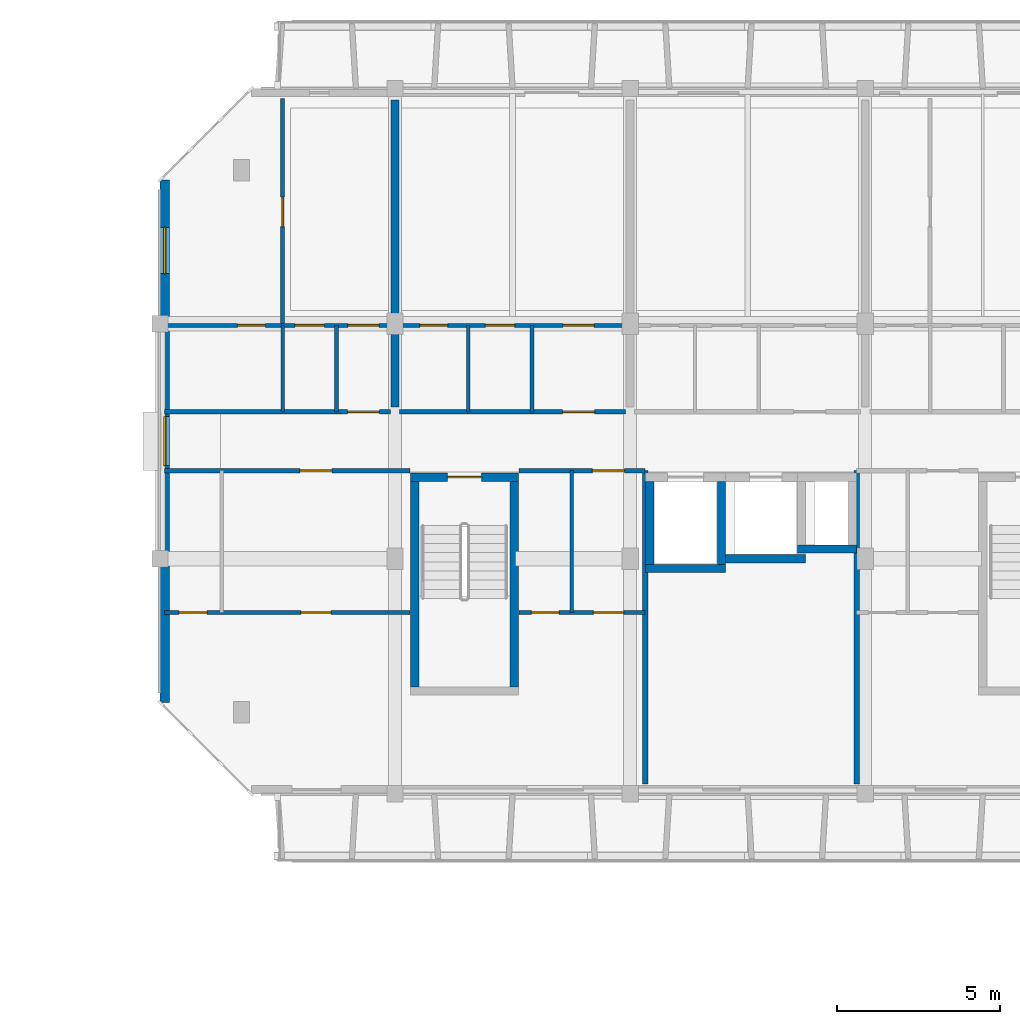
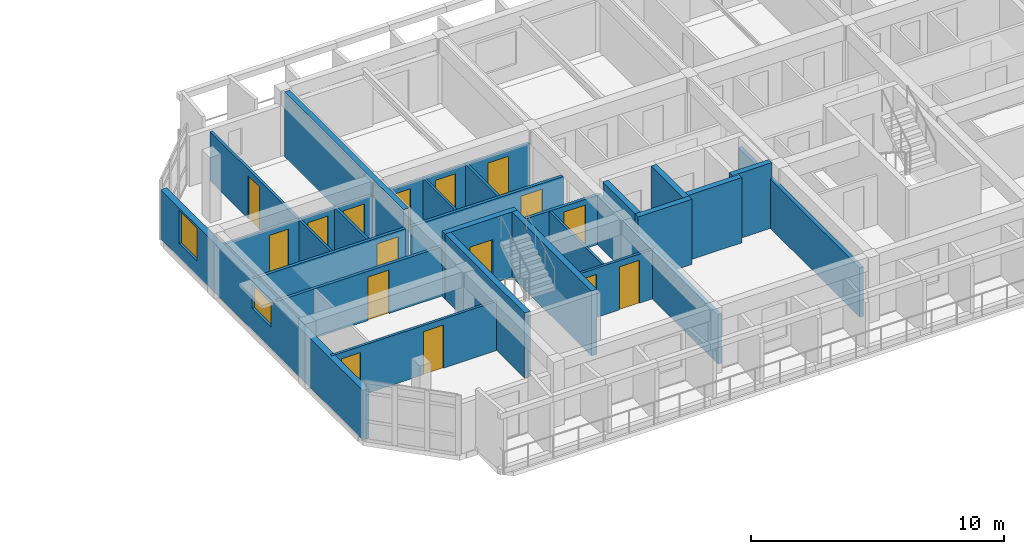
# One storey, part 27 of 45: 26 walls, 16 doors, 2 windows, 18 openings.
"""IFC4 building model written with IfcOpenShell, lengths in metres."""

from ifc_helpers import new_model, si_unit, direction, frame, frame_2d, origin, place, context, subcontext, project, spatial, rectangle, extrude, material, layer, layer_set, type_object, element, fill, save


model = new_model("IFC4")

# Units and contexts
model_context = context("Model", 3, precision=1e-05, world=origin(), true_north=direction((0.0, 1.0)))
body_context = subcontext(model_context, "Body", "Model", "MODEL_VIEW")
ifc_project = project(units=[si_unit("LENGTHUNIT", "METRE"), si_unit("AREAUNIT", "SQUARE_METRE"), si_unit("VOLUMEUNIT", "CUBIC_METRE"), si_unit("PLANEANGLEUNIT", "RADIAN"), si_unit("MASSUNIT", "GRAM", prefix="KILO")], contexts=[model_context])

# Site, building, storey
site_placement = place(None, origin())
site = spatial("IfcSite", under=ifc_project, at=site_placement, CompositionType="ELEMENT")
building_placement = place(site_placement, origin())
building = spatial("IfcBuilding", under=site, at=building_placement, Name="Ochrevale Crest", CompositionType="ELEMENT")
storey_placement = place(building_placement, frame((0.0, 0.0, 18.14990234375)))
storey = spatial("IfcBuildingStorey", under=building, at=storey_placement, Name="L05", CompositionType="ELEMENT", Elevation=18.14990234375)

# Wall, opening, door
ifc_material_1 = material(Name="Gypsum plasterboard", Category="gypsum")
ifc_layer_1 = layer(ifc_material_1, 0.139892578125)
ifc_layer_set_1 = layer_set([ifc_layer_1], Name="Gypsum plasterboard")
wall_type_1 = type_object("IfcWallType", Name="WL-COR-140", PredefinedType="PARTITIONING", material=ifc_layer_set_1)
wall_1_placement = place(storey_placement, frame((129.739990234375, 83.699951171875, 0.0), z_axis=(0.0, 0.0, 1.0), x_axis=(1.0, 0.0, 0.0)))
wall_1 = element("IfcWall", 1, at=wall_1_placement, inside=storey, type_object=wall_type_1, Name="Apartment D-L05-U1 corridor wall", PredefinedType="PARTITIONING", context=body_context, shape_type="SweptSolid", body=[
    extrude(rectangle(XDim=6.919921875, YDim=0.139892578125, at=frame_2d((3.4599609375, 0.0))), origin(), (0.0, 0.0, 1.0), 2.380126953125),
])
opening_1_placement = place(wall_1_placement, frame((5.60498046875, 0.0, 0.0)))
opening_1 = element("IfcOpeningElement", 2, at=opening_1_placement, cuts=wall_1, Name="Opening FD01", PredefinedType="OPENING", context=body_context, shape_type="SweptSolid", body=[
    extrude(rectangle(XDim=0.97998046875, YDim=2.10009765625, at=frame_2d((0.489990234375, 1.050048828125))), frame((0.0, 0.080078125, 0.0), z_axis=(0.0, -1.0, 0.0), x_axis=(1.0, 0.0, 0.0)), (0.0, 0.0, 1.0), 0.159912109375),
])
ifc_material_2 = material(Name="Solid-core FSC hardwood", Category="wood")
door_type_1 = type_object("IfcDoorType", Name="DR-APT-950", OperationType="NOTDEFINED", PredefinedType="DOOR", material=ifc_material_2)
door_1_placement = place(opening_1_placement, origin())
door_1 = element("IfcDoor", 3, at=door_1_placement, inside=storey, type_object=door_type_1, Name="Apartment D-L05-U1 entrance door", OperationType="SINGLE_SWING_LEFT", OverallHeight=2.10009765625, OverallWidth=0.97998046875, PredefinedType="DOOR", context=body_context, shape_type="SweptSolid", body=[
    extrude(rectangle(XDim=0.97998046875, YDim=2.10009765625, at=frame_2d((0.489990234375, 1.050048828125))), frame((0.0, 0.02490234375, 0.0), z_axis=(0.0, -1.0, 0.0), x_axis=(1.0, 0.0, 0.0)), (0.0, 0.0, 1.0), 0.050048828125),
])
fill(opening_1, door_1)

wall_2_placement = place(storey_placement, frame((136.93994140625, 83.699951171875, 0.0), z_axis=(0.0, 0.0, 1.0), x_axis=(1.0, 0.0, 0.0)))
wall_2 = element("IfcWall", 4, at=wall_2_placement, inside=storey, type_object=wall_type_1, Name="Apartment D-L05-U2 corridor wall", PredefinedType="PARTITIONING", context=body_context, shape_type="SweptSolid", body=[
    extrude(rectangle(XDim=6.920166015625, YDim=0.139892578125, at=frame_2d((3.4599609375, 0.0))), origin(), (0.0, 0.0, 1.0), 2.380126953125),
])
opening_2_placement = place(wall_2_placement, frame((5.97509765625, 0.0, 0.0), z_axis=(0.0, 0.0, 1.0), x_axis=(-1.0, 0.0, 0.0)))
opening_2 = element("IfcOpeningElement", 5, at=opening_2_placement, cuts=wall_2, Name="Opening FD01", PredefinedType="OPENING", context=body_context, shape_type="SweptSolid", body=[
    extrude(rectangle(XDim=0.97998046875, YDim=2.10009765625, at=frame_2d((0.489990234375, 1.050048828125))), frame((0.0, 0.080078125, 0.0), z_axis=(0.0, -1.0, 0.0), x_axis=(1.0, 0.0, 0.0)), (0.0, 0.0, 1.0), 0.159912109375),
])
door_2_placement = place(opening_2_placement, origin())
door_2 = element("IfcDoor", 6, at=door_2_placement, inside=storey, type_object=door_type_1, Name="Apartment D-L05-U2 entrance door", OperationType="SINGLE_SWING_RIGHT", OverallHeight=2.10009765625, OverallWidth=0.97998046875, PredefinedType="DOOR", context=body_context, shape_type="SweptSolid", body=[
    extrude(rectangle(XDim=0.97998046875, YDim=2.10009765625, at=frame_2d((0.489990234375, 1.050048828125))), frame((0.0, 0.02490234375, 0.0), z_axis=(0.0, -1.0, 0.0), x_axis=(1.0, 0.0, 0.0)), (0.0, 0.0, 1.0), 0.050048828125),
])
fill(opening_2, door_2)

wall_3_placement = place(storey_placement, frame((129.739990234375, 81.89990234375, 0.0), z_axis=(0.0, 0.0, 1.0), x_axis=(1.0, 0.0, 0.0)))
wall_3 = element("IfcWall", 7, at=wall_3_placement, inside=storey, type_object=wall_type_1, Name="Suite D-L05-CW corridor wall", PredefinedType="PARTITIONING", context=body_context, shape_type="SweptSolid", body=[
    extrude(rectangle(XDim=7.52001953125, YDim=0.139892578125, at=frame_2d((3.760009765625, 0.0))), origin(), (0.0, 0.0, 1.0), 2.380126953125),
])
opening_3_placement = place(wall_3_placement, frame((5.125, 0.0, 0.0), z_axis=(0.0, 0.0, 1.0), x_axis=(-1.0, 0.0, 0.0)))
opening_3 = element("IfcOpeningElement", 8, at=opening_3_placement, cuts=wall_3, Name="Opening FD01", PredefinedType="OPENING", context=body_context, shape_type="SweptSolid", body=[
    extrude(rectangle(XDim=0.97998046875, YDim=2.10009765625, at=frame_2d((0.489990234375, 1.050048828125))), frame((0.0, 0.080078125, 0.0), z_axis=(0.0, -1.0, 0.0), x_axis=(1.0, 0.0, 0.0)), (0.0, 0.0, 1.0), 0.159912109375),
])
door_3_placement = place(opening_3_placement, origin())
door_3 = element("IfcDoor", 9, at=door_3_placement, inside=storey, type_object=door_type_1, Name="Suite D-L05-CW entrance door", OperationType="SINGLE_SWING_RIGHT", OverallHeight=2.10009765625, OverallWidth=0.97998046875, PredefinedType="DOOR", context=body_context, shape_type="SweptSolid", body=[
    extrude(rectangle(XDim=0.97998046875, YDim=2.10009765625, at=frame_2d((0.489990234375, 1.050048828125))), frame((0.0, 0.02490234375, 0.0), z_axis=(0.0, -1.0, 0.0), x_axis=(1.0, 0.0, 0.0)), (0.0, 0.0, 1.0), 0.050048828125),
])
fill(opening_3, door_3)

wall_4_placement = place(storey_placement, frame((140.590087890625, 81.89990234375, 0.0), z_axis=(0.0, 0.0, 1.0), x_axis=(1.0, 0.0, 0.0)))
wall_4 = element("IfcWall", 10, at=wall_4_placement, inside=storey, type_object=wall_type_1, Name="Suite D-L05-MW corridor wall", PredefinedType="PARTITIONING", context=body_context, shape_type="SweptSolid", body=[
    extrude(rectangle(XDim=3.869873046875, YDim=0.139892578125, at=frame_2d((1.93505859375, 0.0))), origin(), (0.0, 0.0, 1.0), 2.380126953125),
])
opening_4_placement = place(wall_4_placement, frame((2.2578125, 0.0, 0.0)))
opening_4 = element("IfcOpeningElement", 11, at=opening_4_placement, cuts=wall_4, Name="Opening FD01", PredefinedType="OPENING", context=body_context, shape_type="SweptSolid", body=[
    extrude(rectangle(XDim=0.97998046875, YDim=2.10009765625, at=frame_2d((0.489990234375, 1.050048828125))), frame((0.0, 0.080078125, 0.0), z_axis=(0.0, -1.0, 0.0), x_axis=(1.0, 0.0, 0.0)), (0.0, 0.0, 1.0), 0.159912109375),
])
door_4_placement = place(opening_4_placement, origin())
door_4 = element("IfcDoor", 12, at=door_4_placement, inside=storey, type_object=door_type_1, Name="Suite D-L05-MW entrance door", OperationType="SINGLE_SWING_LEFT", OverallHeight=2.10009765625, OverallWidth=0.97998046875, PredefinedType="DOOR", context=body_context, shape_type="SweptSolid", body=[
    extrude(rectangle(XDim=0.97998046875, YDim=2.10009765625, at=frame_2d((0.489990234375, 1.050048828125))), frame((0.0, 0.02490234375, 0.0), z_axis=(0.0, -1.0, 0.0), x_axis=(1.0, 0.0, 0.0)), (0.0, 0.0, 1.0), 0.050048828125),
])
fill(opening_4, door_4)

ifc_material_3 = material(Name="Precast concrete C50/60", Category="concrete")
ifc_layer_2 = layer(ifc_material_3, 0.2548828125)
ifc_layer_set_2 = layer_set([ifc_layer_2], Name="Precast concrete C50/60")
wall_type_2 = type_object("IfcWallType", Name="WL-CORE-255", PredefinedType="SHEAR", material=ifc_layer_set_2)
wall_5_placement = place(storey_placement, frame((137.2724609375, 81.699951171875, 0.0), z_axis=(0.0, 0.0, 1.0), x_axis=(1.0, 0.0, 0.0)))
wall_5 = element("IfcWall", 13, at=wall_5_placement, inside=storey, type_object=wall_type_2, Name="Block D L05 Stair 1 precast core shear wall N", PredefinedType="SHEAR", context=body_context, shape_type="SweptSolid", body=[
    extrude(rectangle(XDim=3.304931640625, YDim=0.2548828125, at=frame_2d((1.65234375, 0.0))), origin(), (0.0, 0.0, 1.0), 3.150146484375),
])
opening_5_placement = place(wall_5_placement, frame((2.177490234375, 0.0, 0.0), z_axis=(0.0, 0.0, 1.0), x_axis=(-1.0, 0.0, 0.0)))
opening_5 = element("IfcOpeningElement", 14, at=opening_5_placement, cuts=wall_5, Name="Opening FD03", PredefinedType="OPENING", context=body_context, shape_type="SweptSolid", body=[
    extrude(rectangle(XDim=1.050048828125, YDim=2.1201171875, at=frame_2d((0.52490234375, 1.06005859375))), frame((0.0, 0.137451171875, 0.0), z_axis=(0.0, -1.0, 0.0), x_axis=(1.0, 0.0, 0.0)), (0.0, 0.0, 1.0), 0.27490234375),
])
door_type_2 = type_object("IfcDoorType", Name="DR-ST-1050", OperationType="NOTDEFINED", PredefinedType="DOOR", material=ifc_material_2)
door_5_placement = place(opening_5_placement, origin())
door_5 = element("IfcDoor", 15, at=door_5_placement, inside=storey, type_object=door_type_2, Name="Block D L05 fire stair 1 door", OperationType="SINGLE_SWING_RIGHT", OverallHeight=2.1201171875, OverallWidth=1.050048828125, PredefinedType="DOOR", context=body_context, shape_type="SweptSolid", body=[
    extrude(rectangle(XDim=1.050048828125, YDim=2.1201171875, at=frame_2d((0.52490234375, 1.06005859375))), frame((0.0, 0.02490234375, 0.0), z_axis=(0.0, -1.0, 0.0), x_axis=(1.0, 0.0, 0.0)), (0.0, 0.0, 1.0), 0.050048828125),
])
fill(opening_5, door_5)

# Walls
for number, where, z_axis, x_axis, name in (
    (16, (137.39990234375, 75.277587890625, 0.0), (0.0, 0.0, 1.0), (0.0, 1.0, 0.0), "Block D L05 Stair 1 precast core shear wall W"),
    (17, (140.449951171875, 75.277587890625, 0.0), (0.0, 0.0, 1.0), (0.0, 1.0, 0.0), "Block D L05 Stair 1 precast core shear wall E"),
):
    element("IfcWall", number, at=place(storey_placement, frame(where, z_axis=z_axis, x_axis=x_axis)), inside=storey, type_object=wall_type_2, Name=name, PredefinedType="SHEAR", context=body_context, shape_type="SweptSolid", body=[
        extrude(rectangle(XDim=6.294921875, YDim=0.2548828125, at=frame_2d((3.1474609375, 0.0))), origin(), (0.0, 0.0, 1.0), 3.150146484375),
    ])
wall_6_placement = place(storey_placement, frame((144.472412109375, 78.89990234375, 0.0), z_axis=(0.0, 0.0, 1.0), x_axis=(1.0, 0.0, 0.0)))
element("IfcWall", 18, at=wall_6_placement, inside=storey, type_object=wall_type_2, Name="Block D L05 Lift 1 precast shaft shear wall S", PredefinedType="SHEAR", context=body_context, shape_type="SweptSolid", body=[
    extrude(rectangle(XDim=2.455078125, YDim=0.2548828125, at=frame_2d((1.2275390625, 0.0))), origin(), (0.0, 0.0, 1.0), 3.150146484375),
])
for number, where, z_axis, x_axis, name in (
    (19, (144.60009765625, 79.027587890625, 0.0), (0.0, 0.0, 1.0), (0.0, 1.0, 0.0), "Block D L05 Lift 1 precast shaft shear wall W"),
    (20, (146.800048828125, 79.027587890625, 0.0), (0.0, 0.0, 1.0), (0.0, 1.0, 0.0), "Block D L05 Lift 1 precast shaft shear wall E"),
):
    element("IfcWall", number, at=place(storey_placement, frame(where, z_axis=z_axis, x_axis=x_axis)), inside=storey, type_object=wall_type_2, Name=name, PredefinedType="SHEAR", context=body_context, shape_type="SweptSolid", body=[
        extrude(rectangle(XDim=2.544921875, YDim=0.2548828125, at=frame_2d((1.2724609375, 0.0))), origin(), (0.0, 0.0, 1.0), 3.150146484375),
    ])
wall_7_placement = place(storey_placement, frame((146.922607421875, 79.199951171875, 0.0), z_axis=(0.0, 0.0, 1.0), x_axis=(1.0, 0.0, 0.0)))
element("IfcWall", 21, at=wall_7_placement, inside=storey, type_object=wall_type_2, Name="Block D L05 Lift 2 precast shaft shear wall S", PredefinedType="SHEAR", context=body_context, shape_type="SweptSolid", body=[
    extrude(rectangle(XDim=2.454833984375, YDim=0.2548828125, at=frame_2d((1.2275390625, 0.0))), origin(), (0.0, 0.0, 1.0), 3.150146484375),
])
wall_8_placement = place(storey_placement, frame((149.12255859375, 79.5, 0.0), z_axis=(0.0, 0.0, 1.0), x_axis=(1.0, 0.0, 0.0)))
element("IfcWall", 22, at=wall_8_placement, inside=storey, type_object=wall_type_2, Name="Block D L05 services riser shaft core wall S", PredefinedType="SHEAR", context=body_context, shape_type="SweptSolid", body=[
    extrude(rectangle(XDim=1.804931640625, YDim=0.2548828125, at=frame_2d((0.90234375, 0.0))), origin(), (0.0, 0.0, 1.0), 3.150146484375),
])

# Wall, openings, windows
ifc_material_4 = material(Name="Clay face brickwork", Category="masonry")
ifc_layer_3 = layer(ifc_material_4, 0.2900390625)
ifc_layer_set_3 = layer_set([ifc_layer_3], Name="Clay face brickwork")
wall_type_3 = type_object("IfcWallType", Name="WL-EXT-BRICK-290", PredefinedType="SOLIDWALL", material=ifc_layer_set_3)
wall_9_placement = place(storey_placement, frame((129.7451171875, 90.800048828125, 0.0), z_axis=(0.0, 0.0, 1.0), x_axis=(0.0, -1.0, 0.0)))
wall_9 = element("IfcWall", 23, at=wall_9_placement, inside=storey, type_object=wall_type_3, Name="Block D L05 external facade wall E7", PredefinedType="SOLIDWALL", context=body_context, shape_type="SweptSolid", body=[
    extrude(rectangle(XDim=16.0, YDim=0.2900390625, at=frame_2d((8.0, 0.0))), origin(), (0.0, 0.0, 1.0), 2.380126953125),
])
opening_6_placement = place(wall_9_placement, frame((7.25, 0.0, 1.050048828125)))
opening_6 = element("IfcOpeningElement", 24, at=opening_6_placement, cuts=wall_9, Name="Opening W18", PredefinedType="OPENING", context=body_context, shape_type="SweptSolid", body=[
    extrude(rectangle(XDim=1.5, YDim=1.14990234375, at=frame_2d((0.75, 0.574951171875))), frame((0.0, 0.155029296875, 0.0), z_axis=(0.0, -1.0, 0.0), x_axis=(1.0, 0.0, 0.0)), (0.0, 0.0, 1.0), 0.31005859375),
])
opening_7_placement = place(wall_9_placement, frame((1.449951171875, 0.0, 0.669921875)))
opening_7 = element("IfcOpeningElement", 25, at=opening_7_placement, cuts=wall_9, Name="Opening W31", PredefinedType="OPENING", context=body_context, shape_type="SweptSolid", body=[
    extrude(rectangle(XDim=1.419921875, YDim=1.60009765625, at=frame_2d((0.7099609375, 0.800048828125))), frame((0.0, 0.155029296875, 0.0), z_axis=(0.0, -1.0, 0.0), x_axis=(1.0, 0.0, 0.0)), (0.0, 0.0, 1.0), 0.31005859375),
])
ifc_material_5 = material(Name="Anodised aluminium 6063-T5 and low-E double glazing", Category="aluminium")
window_type_1 = type_object("IfcWindowType", Name="WIN-W18", PartitioningType="SINGLE_PANEL", PredefinedType="WINDOW", material=ifc_material_5)
window_1_placement = place(opening_6_placement, origin())
window_1 = element("IfcWindow", 26, at=window_1_placement, inside=storey, type_object=window_type_1, Name="Block D L05 corridor end daylight window W", OverallHeight=1.14990234375, OverallWidth=1.5, PartitioningType="SINGLE_PANEL", PredefinedType="WINDOW", context=body_context, shape_type="SweptSolid", body=[
    extrude(rectangle(XDim=1.5, YDim=1.14990234375, at=frame_2d((0.75, 0.574951171875))), frame((0.0, 0.030029296875, 0.0), z_axis=(0.0, -1.0, 0.0), x_axis=(1.0, 0.0, 0.0)), (0.0, 0.0, 1.0), 0.06005859375),
])
fill(opening_6, window_1)
window_type_2 = type_object("IfcWindowType", Name="WIN-W31", PartitioningType="SINGLE_PANEL", PredefinedType="WINDOW", material=ifc_material_5)
window_2_placement = place(opening_7_placement, origin())
window_2 = element("IfcWindow", 27, at=window_2_placement, inside=storey, type_object=window_type_2, Name="Block D L05 side suite window W", OverallHeight=1.60009765625, OverallWidth=1.419921875, PartitioningType="SINGLE_PANEL", PredefinedType="WINDOW", context=body_context, shape_type="SweptSolid", body=[
    extrude(rectangle(XDim=1.419921875, YDim=1.60009765625, at=frame_2d((0.7099609375, 0.800048828125))), frame((0.0, 0.030029296875, 0.0), z_axis=(0.0, -1.0, 0.0), x_axis=(1.0, 0.0, 0.0)), (0.0, 0.0, 1.0), 0.06005859375),
])
fill(opening_7, window_2)

# Wall
ifc_layer_4 = layer(ifc_material_1, 0.1201171875)
ifc_layer_set_4 = layer_set([ifc_layer_4], Name="Gypsum plasterboard")
wall_type_4 = type_object("IfcWallType", Name="WL-PART-120", PredefinedType="PARTITIONING", material=ifc_layer_set_4)
wall_10_placement = place(storey_placement, frame((135.010009765625, 83.699951171875, 0.0), z_axis=(0.0, 0.0, 1.0), x_axis=(0.0, 1.0, 0.0)))
element("IfcWall", 28, at=wall_10_placement, inside=storey, type_object=wall_type_4, Name="Apartment D-L05-U1 kitchen-foyer wall", PredefinedType="PARTITIONING", context=body_context, shape_type="SweptSolid", body=[
    extrude(rectangle(XDim=2.650146484375, YDim=0.1201171875, at=frame_2d((1.3251953125, 0.0))), origin(), (0.0, 0.0, 1.0), 2.375),
])

# Wall, openings, doors
wall_11_placement = place(storey_placement, frame((129.739990234375, 86.35009765625, 0.0), z_axis=(0.0, 0.0, 1.0), x_axis=(1.0, 0.0, 0.0)))
wall_11 = element("IfcWall", 29, at=wall_11_placement, inside=storey, type_object=wall_type_4, Name="Apartment D-L05-U1 central partition", PredefinedType="PARTITIONING", context=body_context, shape_type="SweptSolid", body=[
    extrude(rectangle(XDim=6.919921875, YDim=0.1201171875, at=frame_2d((3.4599609375, 0.0))), origin(), (0.0, 0.0, 1.0), 2.375),
])
opening_8_placement = place(wall_11_placement, frame((3.090087890625, 0.0, 0.0), z_axis=(0.0, 0.0, 1.0), x_axis=(-1.0, 0.0, 0.0)))
opening_8 = element("IfcOpeningElement", 30, at=opening_8_placement, cuts=wall_11, Name="Opening ID01", PredefinedType="OPENING", context=body_context, shape_type="SweptSolid", body=[
    extrude(rectangle(XDim=0.85009765625, YDim=2.080078125, at=frame_2d((0.425048828125, 1.0400390625))), frame((0.0, 0.070068359375, 0.0), z_axis=(0.0, -1.0, 0.0), x_axis=(1.0, 0.0, 0.0)), (0.0, 0.0, 1.0), 0.14013671875),
])
opening_9_placement = place(wall_11_placement, frame((3.9951171875, 0.0, 0.0)))
opening_9 = element("IfcOpeningElement", 31, at=opening_9_placement, cuts=wall_11, Name="Opening ID02", PredefinedType="OPENING", context=body_context, shape_type="SweptSolid", body=[
    extrude(rectangle(XDim=0.89990234375, YDim=2.080078125, at=frame_2d((0.449951171875, 1.0400390625))), frame((0.0, 0.070068359375, 0.0), z_axis=(0.0, -1.0, 0.0), x_axis=(1.0, 0.0, 0.0)), (0.0, 0.0, 1.0), 0.14013671875),
])
opening_10_placement = place(wall_11_placement, frame((6.570068359375, 0.0, 0.0), z_axis=(0.0, 0.0, 1.0), x_axis=(-1.0, 0.0, 0.0)))
opening_10 = element("IfcOpeningElement", 32, at=opening_10_placement, cuts=wall_11, Name="Opening ID06", PredefinedType="OPENING", context=body_context, shape_type="SweptSolid", body=[
    extrude(rectangle(XDim=0.949951171875, YDim=2.080078125, at=frame_2d((0.47509765625, 1.0400390625))), frame((0.0, 0.070068359375, 0.0), z_axis=(0.0, -1.0, 0.0), x_axis=(1.0, 0.0, 0.0)), (0.0, 0.0, 1.0), 0.14013671875),
])
door_type_3 = type_object("IfcDoorType", Name="DR-INT-900", OperationType="NOTDEFINED", PredefinedType="DOOR", material=ifc_material_2)
door_6_placement = place(opening_9_placement, origin())
door_6 = element("IfcDoor", 33, at=door_6_placement, inside=storey, type_object=door_type_3, Name="Apartment D-L05-U1 Kitchen door", OperationType="SINGLE_SWING_LEFT", OverallHeight=2.080078125, OverallWidth=0.89990234375, PredefinedType="DOOR", context=body_context, shape_type="SweptSolid", body=[
    extrude(rectangle(XDim=0.89990234375, YDim=2.080078125, at=frame_2d((0.449951171875, 1.0400390625))), frame((0.0, 0.02490234375, 0.0), z_axis=(0.0, -1.0, 0.0), x_axis=(1.0, 0.0, 0.0)), (0.0, 0.0, 1.0), 0.050048828125),
])
fill(opening_9, door_6)
door_type_4 = type_object("IfcDoorType", Name="DR-INT-950", OperationType="NOTDEFINED", PredefinedType="DOOR", material=ifc_material_2)
door_7_placement = place(opening_10_placement, origin())
door_7 = element("IfcDoor", 34, at=door_7_placement, inside=storey, type_object=door_type_4, Name="Apartment D-L05-U1 Living Foyer door", OperationType="SINGLE_SWING_RIGHT", OverallHeight=2.080078125, OverallWidth=0.949951171875, PredefinedType="DOOR", context=body_context, shape_type="SweptSolid", body=[
    extrude(rectangle(XDim=0.949951171875, YDim=2.080078125, at=frame_2d((0.47509765625, 1.0400390625))), frame((0.0, 0.02490234375, 0.0), z_axis=(0.0, -1.0, 0.0), x_axis=(1.0, 0.0, 0.0)), (0.0, 0.0, 1.0), 0.050048828125),
])
fill(opening_10, door_7)
door_type_5 = type_object("IfcDoorType", Name="DR-WC-850", OperationType="NOTDEFINED", PredefinedType="DOOR", material=ifc_material_2)
door_8_placement = place(opening_8_placement, origin())
door_8 = element("IfcDoor", 35, at=door_8_placement, inside=storey, type_object=door_type_5, Name="Apartment D-L05-U1 Bathroom door", OperationType="SINGLE_SWING_RIGHT", OverallHeight=2.080078125, OverallWidth=0.85009765625, PredefinedType="DOOR", context=body_context, shape_type="SweptSolid", body=[
    extrude(rectangle(XDim=0.85009765625, YDim=2.080078125, at=frame_2d((0.425048828125, 1.0400390625))), frame((0.0, 0.02490234375, 0.0), z_axis=(0.0, -1.0, 0.0), x_axis=(1.0, 0.0, 0.0)), (0.0, 0.0, 1.0), 0.050048828125),
])
fill(opening_8, door_8)

# Wall, opening, door
wall_12_placement = place(storey_placement, frame((133.360107421875, 86.35009765625, 0.0), z_axis=(0.0, 0.0, 1.0), x_axis=(0.0, 1.0, 0.0)))
wall_12 = element("IfcWall", 36, at=wall_12_placement, inside=storey, type_object=wall_type_4, Name="Apartment D-L05-U1 bedroom partition", PredefinedType="PARTITIONING", context=body_context, shape_type="SweptSolid", body=[
    extrude(rectangle(XDim=6.949951171875, YDim=0.1201171875, at=frame_2d((3.47509765625, 0.0))), origin(), (0.0, 0.0, 1.0), 2.375),
])
opening_11_placement = place(wall_12_placement, frame((3.02490234375, 0.0, 0.0)))
opening_11 = element("IfcOpeningElement", 37, at=opening_11_placement, cuts=wall_12, Name="Opening ID02", PredefinedType="OPENING", context=body_context, shape_type="SweptSolid", body=[
    extrude(rectangle(XDim=0.89990234375, YDim=2.080078125, at=frame_2d((0.449951171875, 1.0400390625))), frame((0.0, 0.070068359375, 0.0), z_axis=(0.0, -1.0, 0.0), x_axis=(1.0, 0.0, 0.0)), (0.0, 0.0, 1.0), 0.14013671875),
])
door_9_placement = place(opening_11_placement, origin())
door_9 = element("IfcDoor", 38, at=door_9_placement, inside=storey, type_object=door_type_3, Name="Apartment D-L05-U1 Master Bedroom door", OperationType="SINGLE_SWING_LEFT", OverallHeight=2.080078125, OverallWidth=0.89990234375, PredefinedType="DOOR", context=body_context, shape_type="SweptSolid", body=[
    extrude(rectangle(XDim=0.89990234375, YDim=2.080078125, at=frame_2d((0.449951171875, 1.0400390625))), frame((0.0, 0.02490234375, 0.0), z_axis=(0.0, -1.0, 0.0), x_axis=(1.0, 0.0, 0.0)), (0.0, 0.0, 1.0), 0.050048828125),
])
fill(opening_11, door_9)

# Wall
wall_13_placement = place(storey_placement, frame((140.989990234375, 83.699951171875, 0.0), z_axis=(0.0, 0.0, 1.0), x_axis=(0.0, 1.0, 0.0)))
element("IfcWall", 39, at=wall_13_placement, inside=storey, type_object=wall_type_4, Name="Apartment D-L05-U2 kitchen-foyer wall", PredefinedType="PARTITIONING", context=body_context, shape_type="SweptSolid", body=[
    extrude(rectangle(XDim=2.650146484375, YDim=0.1201171875, at=frame_2d((1.3251953125, 0.0))), origin(), (0.0, 0.0, 1.0), 2.375),
])

# Wall, openings, doors
wall_14_placement = place(storey_placement, frame((136.93994140625, 86.35009765625, 0.0), z_axis=(0.0, 0.0, 1.0), x_axis=(1.0, 0.0, 0.0)))
wall_14 = element("IfcWall", 40, at=wall_14_placement, inside=storey, type_object=wall_type_4, Name="Apartment D-L05-U2 central partition", PredefinedType="PARTITIONING", context=body_context, shape_type="SweptSolid", body=[
    extrude(rectangle(XDim=6.920166015625, YDim=0.1201171875, at=frame_2d((3.4599609375, 0.0))), origin(), (0.0, 0.0, 1.0), 2.375),
])
opening_12_placement = place(wall_14_placement, frame((0.625, 0.0, 0.0)))
opening_12 = element("IfcOpeningElement", 41, at=opening_12_placement, cuts=wall_14, Name="Opening ID01", PredefinedType="OPENING", context=body_context, shape_type="SweptSolid", body=[
    extrude(rectangle(XDim=0.85009765625, YDim=2.080078125, at=frame_2d((0.425048828125, 1.0400390625))), frame((0.0, 0.070068359375, 0.0), z_axis=(0.0, -1.0, 0.0), x_axis=(1.0, 0.0, 0.0)), (0.0, 0.0, 1.0), 0.14013671875),
])
opening_13_placement = place(wall_14_placement, frame((3.52490234375, 0.0, 0.0), z_axis=(0.0, 0.0, 1.0), x_axis=(-1.0, 0.0, 0.0)))
opening_13 = element("IfcOpeningElement", 42, at=opening_13_placement, cuts=wall_14, Name="Opening ID02", PredefinedType="OPENING", context=body_context, shape_type="SweptSolid", body=[
    extrude(rectangle(XDim=0.89990234375, YDim=2.080078125, at=frame_2d((0.449951171875, 1.0400390625))), frame((0.0, 0.070068359375, 0.0), z_axis=(0.0, -1.0, 0.0), x_axis=(1.0, 0.0, 0.0)), (0.0, 0.0, 1.0), 0.14013671875),
])
opening_14_placement = place(wall_14_placement, frame((5.010009765625, 0.0, 0.0)))
opening_14 = element("IfcOpeningElement", 43, at=opening_14_placement, cuts=wall_14, Name="Opening ID06", PredefinedType="OPENING", context=body_context, shape_type="SweptSolid", body=[
    extrude(rectangle(XDim=0.949951171875, YDim=2.080078125, at=frame_2d((0.47509765625, 1.0400390625))), frame((0.0, 0.070068359375, 0.0), z_axis=(0.0, -1.0, 0.0), x_axis=(1.0, 0.0, 0.0)), (0.0, 0.0, 1.0), 0.14013671875),
])
door_10_placement = place(opening_13_placement, origin())
door_10 = element("IfcDoor", 44, at=door_10_placement, inside=storey, type_object=door_type_3, Name="Apartment D-L05-U2 Kitchen door", OperationType="SINGLE_SWING_RIGHT", OverallHeight=2.080078125, OverallWidth=0.89990234375, PredefinedType="DOOR", context=body_context, shape_type="SweptSolid", body=[
    extrude(rectangle(XDim=0.89990234375, YDim=2.080078125, at=frame_2d((0.449951171875, 1.0400390625))), frame((0.0, 0.02490234375, 0.0), z_axis=(0.0, -1.0, 0.0), x_axis=(1.0, 0.0, 0.0)), (0.0, 0.0, 1.0), 0.050048828125),
])
fill(opening_13, door_10)
door_11_placement = place(opening_14_placement, origin())
door_11 = element("IfcDoor", 45, at=door_11_placement, inside=storey, type_object=door_type_4, Name="Apartment D-L05-U2 Living Foyer door", OperationType="SINGLE_SWING_LEFT", OverallHeight=2.080078125, OverallWidth=0.949951171875, PredefinedType="DOOR", context=body_context, shape_type="SweptSolid", body=[
    extrude(rectangle(XDim=0.949951171875, YDim=2.080078125, at=frame_2d((0.47509765625, 1.0400390625))), frame((0.0, 0.02490234375, 0.0), z_axis=(0.0, -1.0, 0.0), x_axis=(1.0, 0.0, 0.0)), (0.0, 0.0, 1.0), 0.050048828125),
])
fill(opening_14, door_11)
door_12_placement = place(opening_12_placement, origin())
door_12 = element("IfcDoor", 46, at=door_12_placement, inside=storey, type_object=door_type_5, Name="Apartment D-L05-U2 Bathroom door", OperationType="SINGLE_SWING_LEFT", OverallHeight=2.080078125, OverallWidth=0.85009765625, PredefinedType="DOOR", context=body_context, shape_type="SweptSolid", body=[
    extrude(rectangle(XDim=0.85009765625, YDim=2.080078125, at=frame_2d((0.425048828125, 1.0400390625))), frame((0.0, 0.02490234375, 0.0), z_axis=(0.0, -1.0, 0.0), x_axis=(1.0, 0.0, 0.0)), (0.0, 0.0, 1.0), 0.050048828125),
])
fill(opening_12, door_12)

wall_15_placement = place(storey_placement, frame((129.739990234375, 77.550048828125, 0.0), z_axis=(0.0, 0.0, 1.0), x_axis=(1.0, 0.0, 0.0)))
wall_15 = element("IfcWall", 47, at=wall_15_placement, inside=storey, type_object=wall_type_4, Name="Suite D-L05-CW internal wall", PredefinedType="PARTITIONING", context=body_context, shape_type="SweptSolid", body=[
    extrude(rectangle(XDim=7.52001953125, YDim=0.1201171875, at=frame_2d((3.760009765625, 0.0))), origin(), (0.0, 0.0, 1.0), 2.380126953125),
])
opening_15_placement = place(wall_15_placement, frame((0.449951171875, 0.0, 0.0)))
opening_15 = element("IfcOpeningElement", 48, at=opening_15_placement, cuts=wall_15, Name="Opening ID01", PredefinedType="OPENING", context=body_context, shape_type="SweptSolid", body=[
    extrude(rectangle(XDim=0.85009765625, YDim=2.080078125, at=frame_2d((0.425048828125, 1.0400390625))), frame((0.0, 0.070068359375, 0.0), z_axis=(0.0, -1.0, 0.0), x_axis=(1.0, 0.0, 0.0)), (0.0, 0.0, 1.0), 0.14013671875),
])
opening_16_placement = place(wall_15_placement, frame((5.094970703125, 0.0, 0.0), z_axis=(0.0, 0.0, 1.0), x_axis=(-1.0, 0.0, 0.0)))
opening_16 = element("IfcOpeningElement", 49, at=opening_16_placement, cuts=wall_15, Name="Opening ID04", PredefinedType="OPENING", context=body_context, shape_type="SweptSolid", body=[
    extrude(rectangle(XDim=0.919921875, YDim=2.080078125, at=frame_2d((0.4599609375, 1.0400390625))), frame((0.0, 0.070068359375, 0.0), z_axis=(0.0, -1.0, 0.0), x_axis=(1.0, 0.0, 0.0)), (0.0, 0.0, 1.0), 0.14013671875),
])
door_type_6 = type_object("IfcDoorType", Name="DR-INT-920", OperationType="NOTDEFINED", PredefinedType="DOOR", material=ifc_material_2)
door_13_placement = place(opening_16_placement, origin())
door_13 = element("IfcDoor", 50, at=door_13_placement, inside=storey, type_object=door_type_6, Name="Suite D-L05-CW Garden Alcove Studio door", OperationType="SINGLE_SWING_RIGHT", OverallHeight=2.080078125, OverallWidth=0.919921875, PredefinedType="DOOR", context=body_context, shape_type="SweptSolid", body=[
    extrude(rectangle(XDim=0.919921875, YDim=2.080078125, at=frame_2d((0.4599609375, 1.0400390625))), frame((0.0, 0.02490234375, 0.0), z_axis=(0.0, -1.0, 0.0), x_axis=(1.0, 0.0, 0.0)), (0.0, 0.0, 1.0), 0.050048828125),
])
fill(opening_16, door_13)
door_14_placement = place(opening_15_placement, origin())
door_14 = element("IfcDoor", 51, at=door_14_placement, inside=storey, type_object=door_type_5, Name="Suite D-L05-CW Bathroom door", OperationType="SINGLE_SWING_LEFT", OverallHeight=2.080078125, OverallWidth=0.85009765625, PredefinedType="DOOR", context=body_context, shape_type="SweptSolid", body=[
    extrude(rectangle(XDim=0.85009765625, YDim=2.080078125, at=frame_2d((0.425048828125, 1.0400390625))), frame((0.0, 0.02490234375, 0.0), z_axis=(0.0, -1.0, 0.0), x_axis=(1.0, 0.0, 0.0)), (0.0, 0.0, 1.0), 0.050048828125),
])
fill(opening_15, door_14)

wall_16_placement = place(storey_placement, frame((140.590087890625, 77.550048828125, 0.0), z_axis=(0.0, 0.0, 1.0), x_axis=(1.0, 0.0, 0.0)))
wall_16 = element("IfcWall", 52, at=wall_16_placement, inside=storey, type_object=wall_type_4, Name="Suite D-L05-MW internal wall", PredefinedType="PARTITIONING", context=body_context, shape_type="SweptSolid", body=[
    extrude(rectangle(XDim=3.869873046875, YDim=0.1201171875, at=frame_2d((1.93505859375, 0.0))), origin(), (0.0, 0.0, 1.0), 2.380126953125),
])
opening_17_placement = place(wall_16_placement, frame((1.23779296875, 0.0, 0.0), z_axis=(0.0, 0.0, 1.0), x_axis=(-1.0, 0.0, 0.0)))
opening_17 = element("IfcOpeningElement", 53, at=opening_17_placement, cuts=wall_16, Name="Opening ID01", PredefinedType="OPENING", context=body_context, shape_type="SweptSolid", body=[
    extrude(rectangle(XDim=0.85009765625, YDim=2.080078125, at=frame_2d((0.425048828125, 1.0400390625))), frame((0.0, 0.070068359375, 0.0), z_axis=(0.0, -1.0, 0.0), x_axis=(1.0, 0.0, 0.0)), (0.0, 0.0, 1.0), 0.14013671875),
])
opening_18_placement = place(wall_16_placement, frame((2.28759765625, 0.0, 0.0)))
opening_18 = element("IfcOpeningElement", 54, at=opening_18_placement, cuts=wall_16, Name="Opening ID04", PredefinedType="OPENING", context=body_context, shape_type="SweptSolid", body=[
    extrude(rectangle(XDim=0.919921875, YDim=2.080078125, at=frame_2d((0.4599609375, 1.0400390625))), frame((0.0, 0.070068359375, 0.0), z_axis=(0.0, -1.0, 0.0), x_axis=(1.0, 0.0, 0.0)), (0.0, 0.0, 1.0), 0.14013671875),
])
door_15_placement = place(opening_18_placement, origin())
door_15 = element("IfcDoor", 55, at=door_15_placement, inside=storey, type_object=door_type_6, Name="Suite D-L05-MW Courtyard Studio Living door", OperationType="SINGLE_SWING_LEFT", OverallHeight=2.080078125, OverallWidth=0.919921875, PredefinedType="DOOR", context=body_context, shape_type="SweptSolid", body=[
    extrude(rectangle(XDim=0.919921875, YDim=2.080078125, at=frame_2d((0.4599609375, 1.0400390625))), frame((0.0, 0.02490234375, 0.0), z_axis=(0.0, -1.0, 0.0), x_axis=(1.0, 0.0, 0.0)), (0.0, 0.0, 1.0), 0.050048828125),
])
fill(opening_18, door_15)
door_16_placement = place(opening_17_placement, origin())
door_16 = element("IfcDoor", 56, at=door_16_placement, inside=storey, type_object=door_type_5, Name="Suite D-L05-MW Bathroom door", OperationType="SINGLE_SWING_RIGHT", OverallHeight=2.080078125, OverallWidth=0.85009765625, PredefinedType="DOOR", context=body_context, shape_type="SweptSolid", body=[
    extrude(rectangle(XDim=0.85009765625, YDim=2.080078125, at=frame_2d((0.425048828125, 1.0400390625))), frame((0.0, 0.02490234375, 0.0), z_axis=(0.0, -1.0, 0.0), x_axis=(1.0, 0.0, 0.0)), (0.0, 0.0, 1.0), 0.050048828125),
])
fill(opening_17, door_16)

# Walls
ifc_layer_5 = layer(ifc_material_3, 0.239990234375)
ifc_layer_set_5 = layer_set([ifc_layer_5], Name="Precast concrete C50/60")
wall_type_5 = type_object("IfcWallType", Name="WL-SHEAR-240", PredefinedType="SHEAR", material=ifc_layer_set_5)
wall_17_placement = place(storey_placement, frame((136.800048828125, 83.85009765625, 0.0), z_axis=(0.0, 0.0, 1.0), x_axis=(0.0, 1.0, 0.0)))
element("IfcWall", 57, at=wall_17_placement, inside=storey, type_object=wall_type_5, Name="Block D L05 load-bearing precast cross-wall X=136.8", PredefinedType="SHEAR", context=body_context, shape_type="SweptSolid", body=[
    extrude(rectangle(XDim=9.39990234375, YDim=0.239990234375, at=frame_2d((4.699951171875, 0.0))), origin(), (0.0, 0.0, 1.0), 3.150146484375),
])
ifc_layer_6 = layer(ifc_material_1, 0.169921875)
ifc_layer_set_6 = layer_set([ifc_layer_6], Name="Gypsum plasterboard")
wall_type_6 = type_object("IfcWallType", Name="WL-TEN-170", PredefinedType="PARTITIONING", material=ifc_layer_set_6)
for number, where, z_axis, x_axis, name in (
    (58, (144.4599609375, 72.300048828125, 0.0), (0.0, 0.0, 1.0), (0.0, 1.0, 0.0), "Suite D-L05-MW east party wall"),
    (59, (150.93994140625, 72.300048828125, 0.0), (0.0, 0.0, 1.0), (0.0, 1.0, 0.0), "Suite D-L05-ME west party wall"),
):
    element("IfcWall", number, at=place(storey_placement, frame(where, z_axis=z_axis, x_axis=x_axis)), inside=storey, type_object=wall_type_6, Name=name, PredefinedType="PARTITIONING", context=body_context, shape_type="SweptSolid", body=[
        extrude(rectangle(XDim=9.599853515625, YDim=0.169921875, at=frame_2d((4.7998046875, 0.0))), origin(), (0.0, 0.0, 1.0), 2.380126953125),
    ])
ifc_layer_7 = layer(ifc_material_1, 0.10009765625)
ifc_layer_set_7 = layer_set([ifc_layer_7], Name="Gypsum plasterboard")
wall_type_7 = type_object("IfcWallType", Name="WL-WET-100", PredefinedType="PARTITIONING", material=ifc_layer_set_7)
for number, where, z_axis, x_axis, name in (
    (60, (133.360107421875, 83.699951171875, 0.0), (0.0, 0.0, 1.0), (0.0, 1.0, 0.0), "Apartment D-L05-U1 bath-kitchen wall"),
    (61, (139.0400390625, 83.699951171875, 0.0), (0.0, 0.0, 1.0), (0.0, 1.0, 0.0), "Apartment D-L05-U2 bath-kitchen wall"),
):
    element("IfcWall", number, at=place(storey_placement, frame(where, z_axis=z_axis, x_axis=x_axis)), inside=storey, type_object=wall_type_7, Name=name, PredefinedType="PARTITIONING", context=body_context, shape_type="SweptSolid", body=[
        extrude(rectangle(XDim=2.650146484375, YDim=0.10009765625, at=frame_2d((1.3251953125, 0.0))), origin(), (0.0, 0.0, 1.0), 2.375),
    ])
wall_18_placement = place(storey_placement, frame((142.21533203125, 77.550048828125, 0.0), z_axis=(0.0, 0.0, 1.0), x_axis=(0.0, 1.0, 0.0)))
element("IfcWall", 62, at=wall_18_placement, inside=storey, type_object=wall_type_7, Name="Suite D-L05-MW bathroom divider", PredefinedType="PARTITIONING", context=body_context, shape_type="SweptSolid", body=[
    extrude(rectangle(XDim=4.349853515625, YDim=0.10009765625, at=frame_2d((2.1748046875, 0.0))), origin(), (0.0, 0.0, 1.0), 2.375),
])

save(model, "model.ifc")
